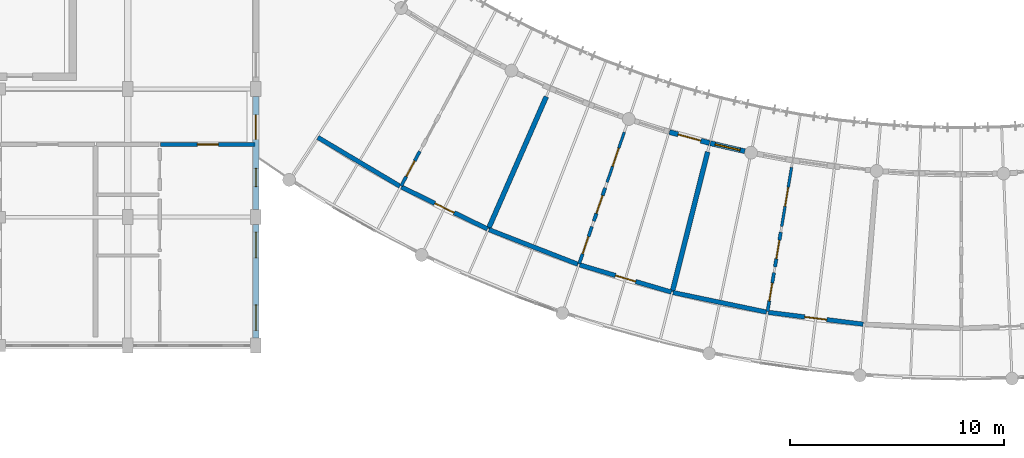
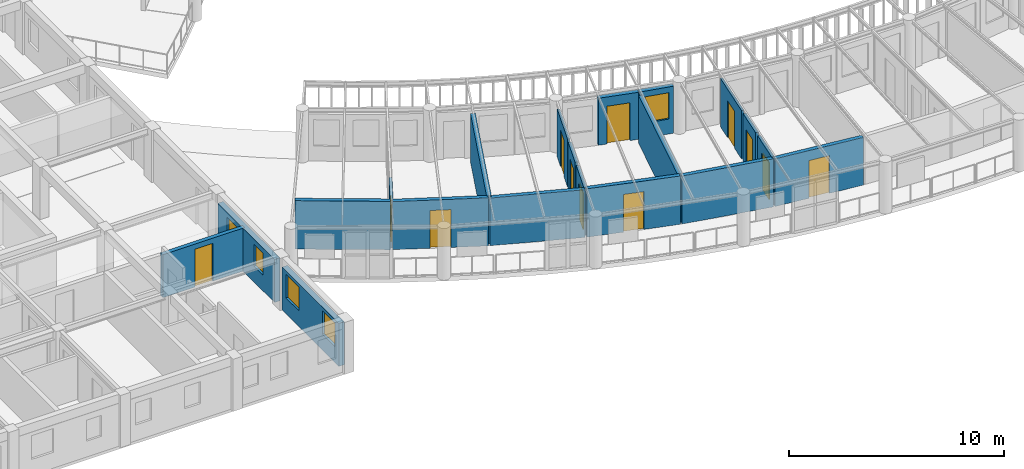
# One storey, part 57 of 101: 20 walls, 13 doors, 4 windows, 17 openings.
"""IFC4 building model written with IfcOpenShell, lengths in metres."""

import ifcopenshell
import ifcopenshell.guid

model = None  # the IFC model being written
_history = None  # IfcOwnerHistory: only IFC2X3 demands one
_inside = {}  # id of a spatial element -> (the spatial element, [elements in it])
_under = {}  # id of a project, library or spatial element -> (it, [spatial elements below it])
_declared = {}  # id of a project -> (the project, [libraries it declares])
_typed = {}  # id of a type object -> (the type object, [elements of that type])
_made_of = {}  # id of a material, layer set ... -> (it, [elements and type objects made of it])


def new_model(schema):
    """Start an empty IFC model of exactly this schema.

    Asked for "IFC4X3", IfcOpenShell would pick the latest addendum, in which some entities
    have other attributes; the version numbers below select the first issue.
    IFC2X3 requires an IfcOwnerHistory on every rooted entity: one is made here for all.
    """
    global model, _history
    if schema == "IFC4X3":
        model = ifcopenshell.file(schema_version=(4, 3, 0, 0))
    else:
        model = ifcopenshell.file(schema=schema)
    _inside.clear()
    _under.clear()
    _declared.clear()
    _typed.clear()
    _made_of.clear()
    _history = None
    if model.schema == "IFC2X3":
        org = make("IfcOrganization", Name="unknown")
        user = make(
            "IfcPersonAndOrganization",
            ThePerson=make("IfcPerson", FamilyName="unknown"),
            TheOrganization=org,
        )
        app = make(
            "IfcApplication",
            ApplicationDeveloper=org,
            Version="unknown",
            ApplicationFullName="unknown",
            ApplicationIdentifier="unknown",
        )
        _history = make(
            "IfcOwnerHistory",
            OwningUser=user,
            OwningApplication=app,
            ChangeAction="ADDED",
            CreationDate=0,
        )
    return model


def make(cls, **values):
    """One entity of the class cls with the attributes given. An attribute that is None is left unset."""
    return model.create_entity(
        cls, **{name: value for name, value in values.items() if value is not None}
    )


def rooted(cls, **values):
    """An entity with a GlobalId (a new one), such as an element, a storey or a relation."""
    return make(cls, GlobalId=ifcopenshell.guid.new(), OwnerHistory=_history, **values)


def si_unit(unit_type, name, prefix=None):
    """IfcSIUnit, for example si_unit("LENGTHUNIT", "METRE", prefix="MILLI")."""
    return make("IfcSIUnit", UnitType=unit_type, Prefix=prefix, Name=name)


def assignment(units):
    """IfcUnitAssignment: the units of a project."""
    return None if units is None else make("IfcUnitAssignment", Units=units)


def point(xyz):
    """IfcCartesianPoint."""
    return None if xyz is None else make("IfcCartesianPoint", Coordinates=xyz)


def direction(xyz):
    """IfcDirection."""
    return None if xyz is None else make("IfcDirection", DirectionRatios=xyz)


def frame(location, z_axis=None, x_axis=None):
    """IfcAxis2Placement3D, a coordinate frame: its origin and axes. An axis left out is left unset."""
    return make(
        "IfcAxis2Placement3D",
        Location=point(location),
        Axis=direction(z_axis),
        RefDirection=direction(x_axis),
    )


def frame_2d(location, x_axis=None):
    """IfcAxis2Placement2D, a coordinate frame in the plane: its origin and x axis."""
    return make(
        "IfcAxis2Placement2D", Location=point(location), RefDirection=direction(x_axis)
    )


def origin():
    """The frame at (0, 0, 0) with its axes left unset."""
    return frame((0.0, 0.0, 0.0))


def place(relative_to, where):
    """IfcLocalPlacement: puts the frame where relative to a parent placement (None: the world)."""
    return make(
        "IfcLocalPlacement", PlacementRelTo=relative_to, RelativePlacement=where
    )


def context(
    kind, dimensions, precision=None, world=None, true_north=None, identifier=None
):
    """IfcGeometricRepresentationContext, for example the 3D "Model" context."""
    return make(
        "IfcGeometricRepresentationContext",
        ContextIdentifier=identifier,
        ContextType=kind,
        CoordinateSpaceDimension=dimensions,
        Precision=precision,
        WorldCoordinateSystem=world,
        TrueNorth=true_north,
    )


def subcontext(parent, identifier, kind, view, scale=None):
    """IfcGeometricRepresentationSubContext, for example "Body" below "Model"."""
    return make(
        "IfcGeometricRepresentationSubContext",
        ContextIdentifier=identifier,
        ContextType=kind,
        ParentContext=parent,
        TargetScale=scale,
        TargetView=view,
    )


def project(units=None, contexts=None):
    """IfcProject with its units and contexts."""
    return rooted(
        "IfcProject",
        Name="project",
        RepresentationContexts=contexts,
        UnitsInContext=assignment(units),
    )


def spatial(cls, under=None, at=None, **own):
    """A site, building, storey or space (cls), placed at a placement, below another one or the project."""
    s = rooted(cls, ObjectPlacement=at, **own)
    if under is not None:
        _under.setdefault(under.id(), (under, []))[1].append(s)
    return s


def profile(cls, at=None, kind="AREA", **sizes):
    """A parametric profile (cls). Its sizes go by their IFC names, for example OverallWidth=200.0."""
    return make(cls, ProfileType=kind, Position=at, **sizes)


def rectangle(**sizes):
    """IfcRectangleProfileDef."""
    return profile("IfcRectangleProfileDef", **sizes)


def extrude(swept, where, along, depth):
    """IfcExtrudedAreaSolid: the profile swept, set in the frame where, extruded along a direction by depth."""
    return make(
        "IfcExtrudedAreaSolid",
        SweptArea=swept,
        Position=where,
        ExtrudedDirection=direction(along),
        Depth=depth,
    )


def shape(context_of_items, identifier, shape_type, items):
    """IfcShapeRepresentation: the items that make up one representation, for example the "Body"."""
    return make(
        "IfcShapeRepresentation",
        ContextOfItems=context_of_items,
        RepresentationIdentifier=identifier,
        RepresentationType=shape_type,
        Items=items,
    )


def material(Name=None, Category=None):
    """IfcMaterial."""
    return make("IfcMaterial", Name=Name, Category=Category)


def layer(
    of_material, thickness, ventilated=None, Name=None, Category=None, Priority=None
):
    """IfcMaterialLayer: one layer of a wall or slab, of a material (None: an air gap)."""
    return make(
        "IfcMaterialLayer",
        Material=of_material,
        LayerThickness=thickness,
        IsVentilated=ventilated,
        Name=Name,
        Category=Category,
        Priority=Priority,
    )


def layer_set(layers, Name=None):
    """IfcMaterialLayerSet."""
    return make("IfcMaterialLayerSet", MaterialLayers=layers, LayerSetName=Name)


def made_of(thing, what):
    """Note that an element or type object is made of a material, layer set ...; save() writes the relation."""
    if what is not None:
        _made_of.setdefault(what.id(), (what, []))[1].append(thing)
    return thing


def type_object(cls, material=None, **own):
    """A type object (cls), such as IfcWallType, which elements share."""
    return made_of(rooted(cls, **own), material)


def element(
    cls,
    number,
    at=None,
    inside=None,
    cuts=None,
    type_object=None,
    material=None,
    context=None,
    identifier="Body",
    shape_type=None,
    held_by="IfcProductDefinitionShape",
    body=None,
    shapes=None,
    **own,
):
    """One element of the class cls, such as IfcWall. Its Tag is "e" and its number.

    at: its placement. inside: the storey or other place that contains it. cuts: it is an
    opening in that element (IfcRelVoidsElement). A single representation is given by context,
    identifier, shape_type and body (its items); several are given by shapes. held_by: the class
    of the entity that holds the representations. save() writes the other relations.
    """
    e = rooted(cls, Tag="e%d" % number, ObjectPlacement=at, **own)
    if body is not None:
        shapes = [shape(context, identifier, shape_type, body)]
    if shapes is not None:
        e.Representation = make(held_by, Representations=shapes)
    if inside is not None:
        _inside.setdefault(inside.id(), (inside, []))[1].append(e)
    if cuts is not None:
        rooted(
            "IfcRelVoidsElement", RelatingBuildingElement=cuts, RelatedOpeningElement=e
        )
    if type_object is not None:
        _typed.setdefault(type_object.id(), (type_object, []))[1].append(e)
    return made_of(e, material)


def fill(opening, filler):
    """IfcRelFillsElement: the door or window that sits in an opening."""
    return rooted(
        "IfcRelFillsElement",
        RelatingOpeningElement=opening,
        RelatedBuildingElement=filler,
    )


def aggregate(whole, parts):
    """IfcRelAggregates: a whole, such as a stair, and the parts it consists of."""
    return rooted("IfcRelAggregates", RelatingObject=whole, RelatedObjects=parts)


def save(model, path):
    """Write the relations noted so far, then the file.

    IfcRelAggregates (storeys below a building ...), IfcRelContainedInSpatialStructure (elements
    in a storey), IfcRelDefinesByType, IfcRelAssociatesMaterial and IfcRelDeclares: one each for
    every whole, place, type object, material and project.
    """
    for whole, parts in _under.values():
        aggregate(whole, parts)
    for where, things in _inside.values():
        rooted(
            "IfcRelContainedInSpatialStructure",
            RelatedElements=things,
            RelatingStructure=where,
        )
    for kind, things in _typed.values():
        rooted("IfcRelDefinesByType", RelatedObjects=things, RelatingType=kind)
    for what, things in _made_of.values():
        rooted("IfcRelAssociatesMaterial", RelatedObjects=things, RelatingMaterial=what)
    for by, libraries in _declared.values():
        rooted("IfcRelDeclares", RelatingContext=by, RelatedDefinitions=libraries)
    model.write(path)


model = new_model("IFC4")

# Units and contexts
model_context = context("Model", 3, precision=1e-05, world=origin(), true_north=direction((0.0, 1.0)))
body_context = subcontext(model_context, "Body", "Model", "MODEL_VIEW")
ifc_project = project(units=[si_unit("LENGTHUNIT", "METRE"), si_unit("AREAUNIT", "SQUARE_METRE"), si_unit("VOLUMEUNIT", "CUBIC_METRE"), si_unit("PLANEANGLEUNIT", "RADIAN"), si_unit("MASSUNIT", "GRAM", prefix="KILO"), si_unit("POWERUNIT", "WATT"), si_unit("THERMODYNAMICTEMPERATUREUNIT", "KELVIN")], contexts=[model_context])

# Site, building, storey
site_placement = place(None, origin())
site = spatial("IfcSite", under=ifc_project, at=site_placement, CompositionType="ELEMENT")
building_placement = place(site_placement, origin())
building = spatial("IfcBuilding", under=site, at=building_placement, Name="Ruvembo Vaulted Housing Court", CompositionType="ELEMENT")
storey_placement = place(building_placement, frame((0.0, 0.0, 17.300048828125)))
storey = spatial("IfcBuildingStorey", under=building, at=storey_placement, Name="L05", CompositionType="ELEMENT", Elevation=17.300048828125)

# Wall, opening, door
ifc_material_1 = material(Name="Concrete Blockwork 210", Category="masonry")
ifc_layer_1 = layer(ifc_material_1, 0.2099609375, Name="Concrete Blockwork 210")
ifc_layer_set_1 = layer_set([ifc_layer_1], Name="Concrete Blockwork 210")
wall_type_1 = type_object("IfcWallType", Name="WL-CORR-210", PredefinedType="SOLIDWALL", material=ifc_layer_set_1)
wall_1_placement = place(storey_placement, frame((31.5400390625, 15.39990234375, 0.0), z_axis=(0.0, 0.0, 1.0), x_axis=(1.0, 0.0, 0.0)))
wall_1 = element("IfcWall", 1, at=wall_1_placement, inside=storey, type_object=wall_type_1, Name="L05 Flat A-L05-S4 Entrance WL-INT-L05-01407", PredefinedType="SOLIDWALL", context=body_context, shape_type="SweptSolid", body=[
    extrude(rectangle(XDim=4.419921875, YDim=0.2099609375, at=frame_2d((2.2099609375, 0.0))), origin(), (0.0, 0.0, 1.0), 2.447021484375),
])
opening_1_placement = place(wall_1_placement, frame((1.719970703125, 0.0, 0.0)))
opening_1 = element("IfcOpeningElement", 2, at=opening_1_placement, cuts=wall_1, Name="Opening FD2", PredefinedType="OPENING", context=body_context, shape_type="SweptSolid", body=[
    extrude(rectangle(XDim=0.97998046875, YDim=2.14990234375, at=frame_2d((0.489990234375, 1.074951171875))), frame((0.0, 0.114990234375, 0.0), z_axis=(0.0, -1.0, 0.0), x_axis=(1.0, 0.0, 0.0)), (0.0, 0.0, 1.0), 0.22998046875),
])
ifc_material_2 = material(Name="FSC Hardwood and Engineered Timber", Category="wood")
door_type_1 = type_object("IfcDoorType", Name="DR-FLAT-0980x2150", OperationType="NOTDEFINED", PredefinedType="DOOR", material=ifc_material_2)
door_1_placement = place(opening_1_placement, origin())
door_1 = element("IfcDoor", 3, at=door_1_placement, inside=storey, type_object=door_type_1, Name="L05 Flat A-L05-S4 Entrance Door DR-INT-L05-00793", OperationType="SINGLE_SWING_LEFT", OverallHeight=2.14990234375, OverallWidth=0.97998046875, PredefinedType="DOOR", context=body_context, shape_type="SweptSolid", body=[
    extrude(rectangle(XDim=0.97998046875, YDim=2.14990234375, at=frame_2d((0.489990234375, 1.074951171875))), frame((0.0, 0.02490234375, 0.0), z_axis=(0.0, -1.0, 0.0), x_axis=(1.0, 0.0, 0.0)), (0.0, 0.0, 1.0), 0.050048828125),
])
fill(opening_1, door_1)

# Wall
wall_2_placement = place(storey_placement, frame((38.89697265625, 15.732666015625, 0.0), z_axis=(0.0, 0.0, 1.0), x_axis=(0.859614290038, -0.510943511909, 0.0)))
element("IfcWall", 4, at=wall_2_placement, inside=storey, type_object=wall_type_1, Name="L05 Suite SC2-L05-U1 Gallery Wall WL-INT-L05-01607", PredefinedType="SOLIDWALL", context=body_context, shape_type="SweptSolid", body=[
    extrude(rectangle(XDim=4.472900390625, YDim=0.2099609375, at=frame_2d((2.236328125, 0.0))), origin(), (0.0, 0.0, 1.0), 2.75390625),
])

# Wall, opening, door
wall_3_placement = place(storey_placement, frame((42.8125, 13.4091796875, 0.0), z_axis=(0.0, 0.0, 1.0), x_axis=(0.898794149603, -0.438370934985, 0.0)))
wall_3 = element("IfcWall", 5, at=wall_3_placement, inside=storey, type_object=wall_type_1, Name="L05 Suite SC2-L05-U1 Entrance WL-INT-L05-01608", PredefinedType="SOLIDWALL", context=body_context, shape_type="SweptSolid", body=[
    extrude(rectangle(XDim=4.47265625, YDim=0.2099609375, at=frame_2d((2.236328125, 0.0))), origin(), (0.0, 0.0, 1.0), 2.73388671875),
])
opening_2_placement = place(wall_3_placement, frame((1.736572265625, 0.0, 0.0)))
opening_2 = element("IfcOpeningElement", 6, at=opening_2_placement, cuts=wall_3, Name="Opening FD1", PredefinedType="OPENING", context=body_context, shape_type="SweptSolid", body=[
    extrude(rectangle(XDim=1.0, YDim=2.14990234375, at=frame_2d((0.5, 1.074951171875))), frame((0.0, 0.114990234375, 0.0), z_axis=(0.0, -1.0, 0.0), x_axis=(1.0, 0.0, 0.0)), (0.0, 0.0, 1.0), 0.22998046875),
])
door_type_2 = type_object("IfcDoorType", Name="DR-FLAT-1000x2150", OperationType="NOTDEFINED", PredefinedType="DOOR", material=ifc_material_2)
door_2_placement = place(opening_2_placement, origin())
door_2 = element("IfcDoor", 7, at=door_2_placement, inside=storey, type_object=door_type_2, Name="L05 Suite SC2-L05-U1 Entrance Door DR-INT-L05-00903", OperationType="SINGLE_SWING_LEFT", OverallHeight=2.14990234375, OverallWidth=1.0, PredefinedType="DOOR", context=body_context, shape_type="SweptSolid", body=[
    extrude(rectangle(XDim=1.0, YDim=2.14990234375, at=frame_2d((0.5, 1.074951171875))), frame((0.0, 0.02490234375, 0.0), z_axis=(0.0, -1.0, 0.0), x_axis=(1.0, 0.0, 0.0)), (0.0, 0.0, 1.0), 0.050048828125),
])
fill(opening_2, door_2)

# Wall
wall_4_placement = place(storey_placement, frame((46.906005859375, 11.41650390625, 0.0), z_axis=(0.0, 0.0, 1.0), x_axis=(0.931847867525, -0.362849213571, 0.0)))
element("IfcWall", 8, at=wall_4_placement, inside=storey, type_object=wall_type_1, Name="L05 Suite SC2-L05-U2 Gallery Wall WL-INT-L05-01613", PredefinedType="SOLIDWALL", context=body_context, shape_type="SweptSolid", body=[
    extrude(rectangle(XDim=4.47314453125, YDim=0.2099609375, at=frame_2d((2.236572265625, 0.0))), origin(), (0.0, 0.0, 1.0), 2.7138671875),
])

# Wall, opening, door
wall_5_placement = place(storey_placement, frame((51.14990234375, 9.767578125, 0.0), z_axis=(0.0, 0.0, 1.0), x_axis=(0.958602413557, -0.28474798107, 0.0)))
wall_5 = element("IfcWall", 9, at=wall_5_placement, inside=storey, type_object=wall_type_1, Name="L05 Suite SC2-L05-U2 Entrance WL-INT-L05-01614", PredefinedType="SOLIDWALL", context=body_context, shape_type="SweptSolid", body=[
    extrude(rectangle(XDim=4.472900390625, YDim=0.2099609375, at=frame_2d((2.236328125, 0.0))), origin(), (0.0, 0.0, 1.0), 2.75390625),
])
opening_3_placement = place(wall_5_placement, frame((1.74658203125, 0.0, 0.0)))
opening_3 = element("IfcOpeningElement", 10, at=opening_3_placement, cuts=wall_5, Name="Opening FD2", PredefinedType="OPENING", context=body_context, shape_type="SweptSolid", body=[
    extrude(rectangle(XDim=0.97998046875, YDim=2.14990234375, at=frame_2d((0.489990234375, 1.074951171875))), frame((0.0, 0.114990234375, 0.0), z_axis=(0.0, -1.0, 0.0), x_axis=(1.0, 0.0, 0.0)), (0.0, 0.0, 1.0), 0.22998046875),
])
door_3_placement = place(opening_3_placement, origin())
door_3 = element("IfcDoor", 11, at=door_3_placement, inside=storey, type_object=door_type_1, Name="L05 Suite SC2-L05-U2 Entrance Door DR-INT-L05-00907", OperationType="SINGLE_SWING_LEFT", OverallHeight=2.14990234375, OverallWidth=0.97998046875, PredefinedType="DOOR", context=body_context, shape_type="SweptSolid", body=[
    extrude(rectangle(XDim=0.97998046875, YDim=2.14990234375, at=frame_2d((0.489990234375, 1.074951171875))), frame((0.0, 0.02490234375, 0.0), z_axis=(0.0, -1.0, 0.0), x_axis=(1.0, 0.0, 0.0)), (0.0, 0.0, 1.0), 0.050048828125),
])
fill(opening_3, door_3)

# Wall
wall_6_placement = place(storey_placement, frame((55.51513671875, 8.47412109375, 0.0), z_axis=(0.0, 0.0, 1.0), x_axis=(0.978806148413, -0.204788973894, 0.0)))
element("IfcWall", 12, at=wall_6_placement, inside=storey, type_object=wall_type_1, Name="L05 Suite SC2-L05-U3 Gallery Wall WL-INT-L05-01619", PredefinedType="SOLIDWALL", context=body_context, shape_type="SweptSolid", body=[
    extrude(rectangle(XDim=4.472900390625, YDim=0.2099609375, at=frame_2d((2.236328125, 0.0))), origin(), (0.0, 0.0, 1.0), 2.73388671875),
])

# Wall, opening, door
wall_7_placement = place(storey_placement, frame((59.97216796875, 7.544921875, 0.0), z_axis=(0.0, 0.0, 1.0), x_axis=(0.992349920368, -0.123457019023, 0.0)))
wall_7 = element("IfcWall", 13, at=wall_7_placement, inside=storey, type_object=wall_type_1, Name="L05 Suite SC2-L05-U3 Entrance WL-INT-L05-01620", PredefinedType="SOLIDWALL", context=body_context, shape_type="SweptSolid", body=[
    extrude(rectangle(XDim=4.47314453125, YDim=0.2099609375, at=frame_2d((2.236572265625, 0.0))), origin(), (0.0, 0.0, 1.0), 2.7138671875),
])
opening_4_placement = place(wall_7_placement, frame((1.711669921875, 0.0, 0.0)))
opening_4 = element("IfcOpeningElement", 14, at=opening_4_placement, cuts=wall_7, Name="Opening FD3", PredefinedType="OPENING", context=body_context, shape_type="SweptSolid", body=[
    extrude(rectangle(XDim=1.050048828125, YDim=2.14990234375, at=frame_2d((0.52490234375, 1.074951171875))), frame((0.0, 0.114990234375, 0.0), z_axis=(0.0, -1.0, 0.0), x_axis=(1.0, 0.0, 0.0)), (0.0, 0.0, 1.0), 0.22998046875),
])
door_type_3 = type_object("IfcDoorType", Name="DR-FLAT-1050x2150", OperationType="NOTDEFINED", PredefinedType="DOOR", material=ifc_material_2)
door_4_placement = place(opening_4_placement, origin())
door_4 = element("IfcDoor", 15, at=door_4_placement, inside=storey, type_object=door_type_3, Name="L05 Suite SC2-L05-U3 Entrance Door DR-INT-L05-00911", OperationType="SINGLE_SWING_LEFT", OverallHeight=2.14990234375, OverallWidth=1.050048828125, PredefinedType="DOOR", context=body_context, shape_type="SweptSolid", body=[
    extrude(rectangle(XDim=1.050048828125, YDim=2.14990234375, at=frame_2d((0.52490234375, 1.074951171875))), frame((0.0, 0.02490234375, 0.0), z_axis=(0.0, -1.0, 0.0), x_axis=(1.0, 0.0, 0.0)), (0.0, 0.0, 1.0), 0.050048828125),
])
fill(opening_4, door_4)

# Walls
ifc_material_3 = material(Name="Acoustic Masonry Demising 230", Category="masonry")
ifc_layer_2 = layer(ifc_material_3, 0.22998046875, Name="Acoustic Masonry Demising 230")
ifc_layer_set_2 = layer_set([ifc_layer_2], Name="Acoustic Masonry Demising 230")
wall_type_2 = type_object("IfcWallType", Name="WL-DEM-230", PredefinedType="SOLIDWALL", material=ifc_layer_set_2)
wall_8_placement = place(storey_placement, frame((49.585205078125, 17.638427734375, 0.0), z_axis=(0.0, 0.0, 1.0), x_axis=(-0.400932910895, -0.916107417807, 0.0)))
element("IfcWall", 16, at=wall_8_placement, inside=storey, type_object=wall_type_2, Name="L05 Suite SC2-L05-U1 Demising WL-INT-L05-01612", PredefinedType="SOLIDWALL", context=body_context, shape_type="SweptSolid", body=[
    extrude(rectangle(XDim=6.736083984375, YDim=0.22998046875, at=frame_2d((3.3681640625, 0.0))), origin(), (0.0, 0.0, 1.0), 2.75390625),
])
wall_9_placement = place(storey_placement, frame((57.135986328125, 15.0517578125, 0.0), z_axis=(0.0, 0.0, 1.0), x_axis=(-0.244982481903, -0.969527505314, 0.0)))
element("IfcWall", 17, at=wall_9_placement, inside=storey, type_object=wall_type_2, Name="L05 Suite SC2-L05-U2 Demising WL-INT-L05-01618", PredefinedType="SOLIDWALL", context=body_context, shape_type="SweptSolid", body=[
    extrude(rectangle(XDim=6.73583984375, YDim=0.22998046875, at=frame_2d((3.367919921875, 0.0))), origin(), (0.0, 0.0, 1.0), 2.7138671875),
])

# Wall, opening, door
ifc_material_4 = material(Name="Rendered Masonry 235", Category="masonry")
ifc_layer_3 = layer(ifc_material_4, 0.235107421875, Name="Rendered Masonry 235")
ifc_layer_set_3 = layer_set([ifc_layer_3], Name="Rendered Masonry 235")
wall_type_3 = type_object("IfcWallType", Name="WL-EXT-235", PredefinedType="STANDARD", material=ifc_layer_set_3)
wall_10_placement = place(storey_placement, frame((55.35009765625, 15.982177734375, 0.0), z_axis=(0.0, 0.0, 1.0), x_axis=(0.964271323293, -0.264916619098, 0.0)))
wall_10 = element("IfcWall", 18, at=wall_10_placement, inside=storey, type_object=wall_type_3, Name="Scoop SC2 L05 Concave Balcony Wall 7", PredefinedType="STANDARD", context=body_context, shape_type="SweptSolid", body=[
    extrude(rectangle(XDim=1.93994140625, YDim=0.235107421875, at=frame_2d((0.969970703125, 0.0))), origin(), (0.0, 0.0, 1.0), 2.676025390625),
])
opening_5_placement = place(wall_10_placement, frame((0.419921875, 0.0, 0.0)))
opening_5 = element("IfcOpeningElement", 19, at=opening_5_placement, cuts=wall_10, Name="Opening BD3", PredefinedType="OPENING", context=body_context, shape_type="SweptSolid", body=[
    extrude(rectangle(XDim=1.10009765625, YDim=2.14990234375, at=frame_2d((0.550048828125, 1.074951171875))), frame((0.0, 0.12744140625, 0.0), z_axis=(0.0, -1.0, 0.0), x_axis=(1.0, 0.0, 0.0)), (0.0, 0.0, 1.0), 0.255126953125),
])
ifc_material_5 = material(Name="Thermally Broken Glazed Aluminium", Category="aluminium")
door_type_4 = type_object("IfcDoorType", Name="DR-BAL-1100x2150", OperationType="NOTDEFINED", PredefinedType="DOOR", material=ifc_material_5)
door_5_placement = place(opening_5_placement, origin())
door_5 = element("IfcDoor", 20, at=door_5_placement, inside=storey, type_object=door_type_4, Name="Scoop SC2 L05 Balcony Door 7", OperationType="SINGLE_SWING_LEFT", OverallHeight=2.14990234375, OverallWidth=1.10009765625, PredefinedType="DOOR", context=body_context, shape_type="SweptSolid", body=[
    extrude(rectangle(XDim=1.10009765625, YDim=2.14990234375, at=frame_2d((0.550048828125, 1.074951171875))), frame((0.0, 0.02490234375, 0.0), z_axis=(0.0, -1.0, 0.0), x_axis=(1.0, 0.0, 0.0)), (0.0, 0.0, 1.0), 0.050048828125),
])
fill(opening_5, door_5)

# Wall, opening, window
wall_11_placement = place(storey_placement, frame((57.259521484375, 15.45849609375, 0.0), z_axis=(0.0, 0.0, 1.0), x_axis=(0.974354001174, -0.225020622158, 0.0)))
wall_11 = element("IfcWall", 21, at=wall_11_placement, inside=storey, type_object=wall_type_3, Name="Scoop SC2 L05 Concave Balcony Wall 8", PredefinedType="STANDARD", context=body_context, shape_type="SweptSolid", body=[
    extrude(rectangle(XDim=1.659912109375, YDim=0.235107421875, at=frame_2d((0.830078125, 0.0))), origin(), (0.0, 0.0, 1.0), 2.676025390625),
])
opening_6_placement = place(wall_11_placement, frame((0.22998046875, 0.0, 0.85009765625)))
opening_6 = element("IfcOpeningElement", 22, at=opening_6_placement, cuts=wall_11, Name="Opening W14", PredefinedType="OPENING", context=body_context, shape_type="SweptSolid", body=[
    extrude(rectangle(XDim=1.199951171875, YDim=1.5, at=frame_2d((0.60009765625, 0.75))), frame((0.0, 0.12744140625, 0.0), z_axis=(0.0, -1.0, 0.0), x_axis=(1.0, 0.0, 0.0)), (0.0, 0.0, 1.0), 0.255126953125),
])
ifc_material_6 = material(Name="Double Solar-Control Glazing in Aluminium Frame", Category="aluminium")
window_type_1 = type_object("IfcWindowType", Name="WIN-1200x1500", PartitioningType="SINGLE_PANEL", PredefinedType="WINDOW", material=ifc_material_6)
window_1_placement = place(opening_6_placement, origin())
window_1 = element("IfcWindow", 23, at=window_1_placement, inside=storey, type_object=window_type_1, Name="Scoop SC2 L05 Concave Window 8", OverallHeight=1.5, OverallWidth=1.199951171875, PartitioningType="SINGLE_PANEL", PredefinedType="WINDOW", context=body_context, shape_type="SweptSolid", body=[
    extrude(rectangle(XDim=1.199951171875, YDim=1.5, at=frame_2d((0.60009765625, 0.75))), frame((0.0, 0.030029296875, 0.0), z_axis=(0.0, -1.0, 0.0), x_axis=(1.0, 0.0, 0.0)), (0.0, 0.0, 1.0), 0.06005859375),
])
fill(opening_6, window_1)

# Wall, openings, windows
ifc_material_7 = material(Name="Rendered Masonry 285", Category="masonry")
ifc_layer_4 = layer(ifc_material_7, 0.284912109375, Name="Rendered Masonry 285")
ifc_layer_set_4 = layer_set([ifc_layer_4], Name="Rendered Masonry 285")
wall_type_4 = type_object("IfcWallType", Name="WL-EXT-285", PredefinedType="STANDARD", material=ifc_layer_set_4)
wall_12_placement = place(storey_placement, frame((36.0, 6.35009765625, 0.0), z_axis=(0.0, 0.0, 1.0), x_axis=(0.0, 1.0, 0.0)))
wall_12 = element("IfcWall", 24, at=wall_12_placement, inside=storey, type_object=wall_type_4, Name="Block A L05 Exterior Wall EAST #1", PredefinedType="STANDARD", context=body_context, shape_type="SweptSolid", body=[
    extrude(rectangle(XDim=5.2998046875, YDim=0.284912109375, at=frame_2d((2.64990234375, 0.0))), origin(), (0.0, 0.0, 1.0), 2.447021484375),
])
opening_7_placement = place(wall_12_placement, frame((0.35009765625, 0.0, 0.89990234375)))
opening_7 = element("IfcOpeningElement", 25, at=opening_7_placement, cuts=wall_12, Name="Opening W12", PredefinedType="OPENING", context=body_context, shape_type="SweptSolid", body=[
    extrude(rectangle(XDim=1.199951171875, YDim=1.35009765625, at=frame_2d((0.60009765625, 0.675048828125))), frame((0.0, 0.15234375, 0.0), z_axis=(0.0, -1.0, 0.0), x_axis=(1.0, 0.0, 0.0)), (0.0, 0.0, 1.0), 0.304931640625),
])
opening_8_placement = place(wall_12_placement, frame((3.75, 0.0, 0.89990234375)))
opening_8 = element("IfcOpeningElement", 26, at=opening_8_placement, cuts=wall_12, Name="Opening W12", PredefinedType="OPENING", context=body_context, shape_type="SweptSolid", body=[
    extrude(rectangle(XDim=1.199951171875, YDim=1.35009765625, at=frame_2d((0.60009765625, 0.675048828125))), frame((0.0, 0.15234375, 0.0), z_axis=(0.0, -1.0, 0.0), x_axis=(1.0, 0.0, 0.0)), (0.0, 0.0, 1.0), 0.304931640625),
])
window_type_2 = type_object("IfcWindowType", Name="WIN-1200x1350", PartitioningType="SINGLE_PANEL", PredefinedType="WINDOW", material=ifc_material_6)
window_2_placement = place(opening_7_placement, origin())
window_2 = element("IfcWindow", 27, at=window_2_placement, inside=storey, type_object=window_type_2, Name="Block A L05 Window #221", OverallHeight=1.35009765625, OverallWidth=1.199951171875, PartitioningType="SINGLE_PANEL", PredefinedType="WINDOW", context=body_context, shape_type="SweptSolid", body=[
    extrude(rectangle(XDim=1.199951171875, YDim=1.35009765625, at=frame_2d((0.60009765625, 0.675048828125))), frame((0.0, 0.030029296875, 0.0), z_axis=(0.0, -1.0, 0.0), x_axis=(1.0, 0.0, 0.0)), (0.0, 0.0, 1.0), 0.06005859375),
])
fill(opening_7, window_2)
window_3_placement = place(opening_8_placement, origin())
window_3 = element("IfcWindow", 28, at=window_3_placement, inside=storey, type_object=window_type_2, Name="Block A L05 Window #222", OverallHeight=1.35009765625, OverallWidth=1.199951171875, PartitioningType="SINGLE_PANEL", PredefinedType="WINDOW", context=body_context, shape_type="SweptSolid", body=[
    extrude(rectangle(XDim=1.199951171875, YDim=1.35009765625, at=frame_2d((0.60009765625, 0.675048828125))), frame((0.0, 0.030029296875, 0.0), z_axis=(0.0, -1.0, 0.0), x_axis=(1.0, 0.0, 0.0)), (0.0, 0.0, 1.0), 0.06005859375),
])
fill(opening_8, window_3)

# Wall, openings, door, window
wall_13_placement = place(storey_placement, frame((36.0, 12.35009765625, 0.0), z_axis=(0.0, 0.0, 1.0), x_axis=(0.0, 1.0, 0.0)))
wall_13 = element("IfcWall", 29, at=wall_13_placement, inside=storey, type_object=wall_type_4, Name="Block A L05 Exterior Wall EAST #2", PredefinedType="STANDARD", context=body_context, shape_type="SweptSolid", body=[
    extrude(rectangle(XDim=5.2998046875, YDim=0.284912109375, at=frame_2d((2.64990234375, 0.0))), origin(), (0.0, 0.0, 1.0), 2.447021484375),
])
opening_9_placement = place(wall_13_placement, frame((3.2900390625, 0.0, 0.0)))
opening_9 = element("IfcOpeningElement", 30, at=opening_9_placement, cuts=wall_13, Name="Opening GD1", PredefinedType="OPENING", context=body_context, shape_type="SweptSolid", body=[
    extrude(rectangle(XDim=1.14990234375, YDim=2.14990234375, at=frame_2d((0.574951171875, 1.074951171875))), frame((0.0, 0.15234375, 0.0), z_axis=(0.0, -1.0, 0.0), x_axis=(1.0, 0.0, 0.0)), (0.0, 0.0, 1.0), 0.304931640625),
])
opening_10_placement = place(wall_13_placement, frame((1.080078125, 0.0, 0.89990234375)))
opening_10 = element("IfcOpeningElement", 31, at=opening_10_placement, cuts=wall_13, Name="Opening W03", PredefinedType="OPENING", context=body_context, shape_type="SweptSolid", body=[
    extrude(rectangle(XDim=0.85009765625, YDim=1.25, at=frame_2d((0.425048828125, 0.625))), frame((0.0, 0.15234375, 0.0), z_axis=(0.0, -1.0, 0.0), x_axis=(1.0, 0.0, 0.0)), (0.0, 0.0, 1.0), 0.304931640625),
])
door_type_5 = type_object("IfcDoorType", Name="DR-GAL-1150x2150", OperationType="NOTDEFINED", PredefinedType="DOOR", material=ifc_material_5)
door_6_placement = place(opening_9_placement, frame((1.14990234375, 0.0, 0.0), z_axis=(0.0, 0.0, 1.0), x_axis=(-1.0, 0.0, 0.0)))
door_6 = element("IfcDoor", 32, at=door_6_placement, inside=storey, type_object=door_type_5, Name="Block A L05 Terrace or Gallery Door DR-TER-A-L05-019", OperationType="SINGLE_SWING_RIGHT", OverallHeight=2.14990234375, OverallWidth=1.14990234375, PredefinedType="DOOR", context=body_context, shape_type="SweptSolid", body=[
    extrude(rectangle(XDim=1.14990234375, YDim=2.14990234375, at=frame_2d((0.574951171875, 1.074951171875))), frame((0.0, 0.02490234375, 0.0), z_axis=(0.0, -1.0, 0.0), x_axis=(1.0, 0.0, 0.0)), (0.0, 0.0, 1.0), 0.050048828125),
])
fill(opening_9, door_6)
window_type_3 = type_object("IfcWindowType", Name="WIN-0850x1250", PartitioningType="SINGLE_PANEL", PredefinedType="WINDOW", material=ifc_material_6)
window_4_placement = place(opening_10_placement, origin())
window_4 = element("IfcWindow", 33, at=window_4_placement, inside=storey, type_object=window_type_3, Name="Block A L05 Window #223", OverallHeight=1.25, OverallWidth=0.85009765625, PartitioningType="SINGLE_PANEL", PredefinedType="WINDOW", context=body_context, shape_type="SweptSolid", body=[
    extrude(rectangle(XDim=0.85009765625, YDim=1.25, at=frame_2d((0.425048828125, 0.625))), frame((0.0, 0.030029296875, 0.0), z_axis=(0.0, -1.0, 0.0), x_axis=(1.0, 0.0, 0.0)), (0.0, 0.0, 1.0), 0.06005859375),
])
fill(opening_10, window_4)

# Wall, opening, door
ifc_material_8 = material(Name="Plasterboard Stud Partition 125", Category="gypsum")
ifc_layer_5 = layer(ifc_material_8, 0.125, Name="Plasterboard Stud Partition 125")
ifc_layer_set_5 = layer_set([ifc_layer_5], Name="Plasterboard Stud Partition 125")
wall_type_5 = type_object("IfcWallType", Name="WL-PART-125", PredefinedType="PARTITIONING", material=ifc_layer_set_5)
wall_14_placement = place(storey_placement, frame((53.23486328125, 15.977294921875, 0.0), z_axis=(0.0, 0.0, 1.0), x_axis=(-0.324072633759, -0.946032202437, 0.0)))
wall_14 = element("IfcWall", 34, at=wall_14_placement, inside=storey, type_object=wall_type_5, Name="L05 Suite SC2-L05-U2 Bedroom WL-INT-L05-01615", PredefinedType="PARTITIONING", context=body_context, shape_type="SweptSolid", body=[
    extrude(rectangle(XDim=2.47998046875, YDim=0.125, at=frame_2d((1.239990234375, 0.0))), origin(), (0.0, 0.0, 1.0), 2.73388671875),
])
opening_11_placement = place(wall_14_placement, frame((0.7900390625, 0.0, 0.0)))
opening_11 = element("IfcOpeningElement", 35, at=opening_11_placement, cuts=wall_14, Name="Opening ID1", PredefinedType="OPENING", context=body_context, shape_type="SweptSolid", body=[
    extrude(rectangle(XDim=0.89990234375, YDim=2.10009765625, at=frame_2d((0.449951171875, 1.050048828125))), frame((0.0, 0.072509765625, 0.0), z_axis=(0.0, -1.0, 0.0), x_axis=(1.0, 0.0, 0.0)), (0.0, 0.0, 1.0), 0.14501953125),
])
door_type_6 = type_object("IfcDoorType", Name="DR-ROOM-0900x2100", OperationType="NOTDEFINED", PredefinedType="DOOR", material=ifc_material_2)
door_7_placement = place(opening_11_placement, origin())
door_7 = element("IfcDoor", 36, at=door_7_placement, inside=storey, type_object=door_type_6, Name="L05 Suite SC2-L05-U2 Bedroom Door DR-INT-L05-00908", OperationType="SINGLE_SWING_RIGHT", OverallHeight=2.10009765625, OverallWidth=0.89990234375, PredefinedType="DOOR", context=body_context, shape_type="SweptSolid", body=[
    extrude(rectangle(XDim=0.89990234375, YDim=2.10009765625, at=frame_2d((0.449951171875, 1.050048828125))), frame((0.0, 0.02490234375, 0.0), z_axis=(0.0, -1.0, 0.0), x_axis=(1.0, 0.0, 0.0)), (0.0, 0.0, 1.0), 0.050048828125),
])
fill(opening_11, door_7)

wall_15_placement = place(storey_placement, frame((61.061279296875, 14.328369140625, 0.0), z_axis=(0.0, 0.0, 1.0), x_axis=(-0.164186889233, -0.986429250075, 0.0)))
wall_15 = element("IfcWall", 37, at=wall_15_placement, inside=storey, type_object=wall_type_5, Name="L05 Suite SC2-L05-U3 Bedroom WL-INT-L05-01621", PredefinedType="PARTITIONING", context=body_context, shape_type="SweptSolid", body=[
    extrude(rectangle(XDim=2.800048828125, YDim=0.125, at=frame_2d((1.39990234375, 0.0))), origin(), (0.0, 0.0, 1.0), 2.75390625),
])
opening_12_placement = place(wall_15_placement, frame((0.949951171875, 0.0, 0.0)))
opening_12 = element("IfcOpeningElement", 38, at=opening_12_placement, cuts=wall_15, Name="Opening ID1", PredefinedType="OPENING", context=body_context, shape_type="SweptSolid", body=[
    extrude(rectangle(XDim=0.89990234375, YDim=2.10009765625, at=frame_2d((0.449951171875, 1.050048828125))), frame((0.0, 0.072509765625, 0.0), z_axis=(0.0, -1.0, 0.0), x_axis=(1.0, 0.0, 0.0)), (0.0, 0.0, 1.0), 0.14501953125),
])
door_8_placement = place(opening_12_placement, origin())
door_8 = element("IfcDoor", 39, at=door_8_placement, inside=storey, type_object=door_type_6, Name="L05 Suite SC2-L05-U3 Bedroom Door DR-INT-L05-00912", OperationType="SINGLE_SWING_RIGHT", OverallHeight=2.10009765625, OverallWidth=0.89990234375, PredefinedType="DOOR", context=body_context, shape_type="SweptSolid", body=[
    extrude(rectangle(XDim=0.89990234375, YDim=2.10009765625, at=frame_2d((0.449951171875, 1.050048828125))), frame((0.0, 0.02490234375, 0.0), z_axis=(0.0, -1.0, 0.0), x_axis=(1.0, 0.0, 0.0)), (0.0, 0.0, 1.0), 0.050048828125),
])
fill(opening_12, door_8)

ifc_material_9 = material(Name="Moisture-Resistant Wet Partition 150", Category="gypsum")
ifc_layer_6 = layer(ifc_material_9, 0.14990234375, Name="Moisture-Resistant Wet Partition 150")
ifc_layer_set_6 = layer_set([ifc_layer_6], Name="Moisture-Resistant Wet Partition 150")
wall_type_6 = type_object("IfcWallType", Name="WL-PART-150", PredefinedType="PARTITIONING", material=ifc_layer_set_6)
wall_16_placement = place(storey_placement, frame((43.66943359375, 15.0810546875, 0.0), z_axis=(0.0, 0.0, 1.0), x_axis=(-0.475017414672, -0.879976395001, 0.0)))
wall_16 = element("IfcWall", 40, at=wall_16_placement, inside=storey, type_object=wall_type_6, Name="L05 Suite SC2-L05-U1 Bathroom WL-INT-L05-01611", PredefinedType="PARTITIONING", context=body_context, shape_type="SweptSolid", body=[
    extrude(rectangle(XDim=1.840087890625, YDim=0.14990234375, at=frame_2d((0.919921875, 0.0))), origin(), (0.0, 0.0, 1.0), 2.7138671875),
])
opening_13_placement = place(wall_16_placement, frame((0.510009765625, 0.0, 0.0)))
opening_13 = element("IfcOpeningElement", 41, at=opening_13_placement, cuts=wall_16, Name="Opening ID4", PredefinedType="OPENING", context=body_context, shape_type="SweptSolid", body=[
    extrude(rectangle(XDim=0.820068359375, YDim=2.080078125, at=frame_2d((0.41015625, 1.0400390625))), frame((0.0, 0.0849609375, 0.0), z_axis=(0.0, -1.0, 0.0), x_axis=(1.0, 0.0, 0.0)), (0.0, 0.0, 1.0), 0.169921875),
])
door_type_7 = type_object("IfcDoorType", Name="DR-WET-0820x2080", OperationType="NOTDEFINED", PredefinedType="DOOR", material=ifc_material_2)
door_9_placement = place(opening_13_placement, origin())
door_9 = element("IfcDoor", 42, at=door_9_placement, inside=storey, type_object=door_type_7, Name="L05 Suite SC2-L05-U1 Bathroom Door DR-INT-L05-00906", OperationType="SINGLE_SWING_RIGHT", OverallHeight=2.080078125, OverallWidth=0.820068359375, PredefinedType="DOOR", context=body_context, shape_type="SweptSolid", body=[
    extrude(rectangle(XDim=0.820068359375, YDim=2.080078125, at=frame_2d((0.41015625, 1.0400390625))), frame((0.0, 0.02490234375, 0.0), z_axis=(0.0, -1.0, 0.0), x_axis=(1.0, 0.0, 0.0)), (0.0, 0.0, 1.0), 0.050048828125),
])
fill(opening_13, door_9)

wall_17_placement = place(storey_placement, frame((51.720703125, 11.5576171875, 0.0), z_axis=(0.0, 0.0, 1.0), x_axis=(-0.323978335312, -0.946064500046, 0.0)))
wall_17 = element("IfcWall", 43, at=wall_17_placement, inside=storey, type_object=wall_type_6, Name="L05 Suite SC2-L05-U2 Bathroom WL-INT-L05-01617", PredefinedType="PARTITIONING", context=body_context, shape_type="SweptSolid", body=[
    extrude(rectangle(XDim=1.84033203125, YDim=0.14990234375, at=frame_2d((0.920166015625, 0.0))), origin(), (0.0, 0.0, 1.0), 2.73388671875),
])
opening_14_placement = place(wall_17_placement, frame((0.4951171875, 0.0, 0.0)))
opening_14 = element("IfcOpeningElement", 44, at=opening_14_placement, cuts=wall_17, Name="Opening ID2", PredefinedType="OPENING", context=body_context, shape_type="SweptSolid", body=[
    extrude(rectangle(XDim=0.85009765625, YDim=2.10009765625, at=frame_2d((0.425048828125, 1.050048828125))), frame((0.0, 0.0849609375, 0.0), z_axis=(0.0, -1.0, 0.0), x_axis=(1.0, 0.0, 0.0)), (0.0, 0.0, 1.0), 0.169921875),
])
door_type_8 = type_object("IfcDoorType", Name="DR-WET-0850x2100", OperationType="NOTDEFINED", PredefinedType="DOOR", material=ifc_material_2)
door_10_placement = place(opening_14_placement, origin())
door_10 = element("IfcDoor", 45, at=door_10_placement, inside=storey, type_object=door_type_8, Name="L05 Suite SC2-L05-U2 Bathroom Door DR-INT-L05-00910", OperationType="SINGLE_SWING_RIGHT", OverallHeight=2.10009765625, OverallWidth=0.85009765625, PredefinedType="DOOR", context=body_context, shape_type="SweptSolid", body=[
    extrude(rectangle(XDim=0.85009765625, YDim=2.10009765625, at=frame_2d((0.425048828125, 1.050048828125))), frame((0.0, 0.02490234375, 0.0), z_axis=(0.0, -1.0, 0.0), x_axis=(1.0, 0.0, 0.0)), (0.0, 0.0, 1.0), 0.050048828125),
])
fill(opening_14, door_10)

wall_18_placement = place(storey_placement, frame((60.2412109375, 9.404296875, 0.0), z_axis=(0.0, 0.0, 1.0), x_axis=(-0.16414076901, -0.986436925479, 0.0)))
wall_18 = element("IfcWall", 46, at=wall_18_placement, inside=storey, type_object=wall_type_6, Name="L05 Suite SC2-L05-U3 Bathroom WL-INT-L05-01623", PredefinedType="PARTITIONING", context=body_context, shape_type="SweptSolid", body=[
    extrude(rectangle(XDim=1.83984375, YDim=0.14990234375, at=frame_2d((0.919921875, 0.0))), origin(), (0.0, 0.0, 1.0), 2.75390625),
])
opening_15_placement = place(wall_18_placement, frame((0.494873046875, 0.0, 0.0)))
opening_15 = element("IfcOpeningElement", 47, at=opening_15_placement, cuts=wall_18, Name="Opening ID2", PredefinedType="OPENING", context=body_context, shape_type="SweptSolid", body=[
    extrude(rectangle(XDim=0.85009765625, YDim=2.10009765625, at=frame_2d((0.425048828125, 1.050048828125))), frame((0.0, 0.0849609375, 0.0), z_axis=(0.0, -1.0, 0.0), x_axis=(1.0, 0.0, 0.0)), (0.0, 0.0, 1.0), 0.169921875),
])
door_11_placement = place(opening_15_placement, origin())
door_11 = element("IfcDoor", 48, at=door_11_placement, inside=storey, type_object=door_type_8, Name="L05 Suite SC2-L05-U3 Bathroom Door DR-INT-L05-00914", OperationType="SINGLE_SWING_RIGHT", OverallHeight=2.10009765625, OverallWidth=0.85009765625, PredefinedType="DOOR", context=body_context, shape_type="SweptSolid", body=[
    extrude(rectangle(XDim=0.85009765625, YDim=2.10009765625, at=frame_2d((0.425048828125, 1.050048828125))), frame((0.0, 0.02490234375, 0.0), z_axis=(0.0, -1.0, 0.0), x_axis=(1.0, 0.0, 0.0)), (0.0, 0.0, 1.0), 0.050048828125),
])
fill(opening_15, door_11)

ifc_material_10 = material(Name="Acoustic Service Chase Wall 160", Category="gypsum")
ifc_layer_7 = layer(ifc_material_10, 0.159912109375, Name="Acoustic Service Chase Wall 160")
ifc_layer_set_7 = layer_set([ifc_layer_7], Name="Acoustic Service Chase Wall 160")
wall_type_7 = type_object("IfcWallType", Name="WL-PLUMB-160", PredefinedType="PLUMBINGWALL", material=ifc_layer_set_7)
wall_19_placement = place(storey_placement, frame((52.343017578125, 13.373779296875, 0.0), z_axis=(0.0, 0.0, 1.0), x_axis=(-0.324127376206, -0.946013448104, 0.0)))
wall_19 = element("IfcWall", 49, at=wall_19_placement, inside=storey, type_object=wall_type_7, Name="L05 Suite SC2-L05-U2 Kitchen WL-INT-L05-01616", PredefinedType="PLUMBINGWALL", context=body_context, shape_type="SweptSolid", body=[
    extrude(rectangle(XDim=1.64794921875, YDim=0.159912109375, at=frame_2d((0.823974609375, 0.0))), origin(), (0.0, 0.0, 1.0), 2.73388671875),
])
opening_16_placement = place(wall_19_placement, frame((0.384033203125, 0.0, 0.0)))
opening_16 = element("IfcOpeningElement", 50, at=opening_16_placement, cuts=wall_19, Name="Opening ID3", PredefinedType="OPENING", context=body_context, shape_type="SweptSolid", body=[
    extrude(rectangle(XDim=0.8798828125, YDim=2.10009765625, at=frame_2d((0.43994140625, 1.050048828125))), frame((0.0, 0.08984375, 0.0), z_axis=(0.0, -1.0, 0.0), x_axis=(1.0, 0.0, 0.0)), (0.0, 0.0, 1.0), 0.179931640625),
])
door_type_9 = type_object("IfcDoorType", Name="DR-ROOM-0880x2100", OperationType="NOTDEFINED", PredefinedType="DOOR", material=ifc_material_2)
door_12_placement = place(opening_16_placement, origin())
door_12 = element("IfcDoor", 51, at=door_12_placement, inside=storey, type_object=door_type_9, Name="L05 Suite SC2-L05-U2 Kitchen Door DR-INT-L05-00909", OperationType="SINGLE_SWING_LEFT", OverallHeight=2.10009765625, OverallWidth=0.8798828125, PredefinedType="DOOR", context=body_context, shape_type="SweptSolid", body=[
    extrude(rectangle(XDim=0.8798828125, YDim=2.10009765625, at=frame_2d((0.43994140625, 1.050048828125))), frame((0.0, 0.02490234375, 0.0), z_axis=(0.0, -1.0, 0.0), x_axis=(1.0, 0.0, 0.0)), (0.0, 0.0, 1.0), 0.050048828125),
])
fill(opening_16, door_12)

wall_20_placement = place(storey_placement, frame((60.556640625, 11.298095703125, 0.0), z_axis=(0.0, 0.0, 1.0), x_axis=(-0.164158726706, -0.986433937193, 0.0)))
wall_20 = element("IfcWall", 52, at=wall_20_placement, inside=storey, type_object=wall_type_7, Name="L05 Suite SC2-L05-U3 Kitchen WL-INT-L05-01622", PredefinedType="PLUMBINGWALL", context=body_context, shape_type="SweptSolid", body=[
    extrude(rectangle(XDim=1.64794921875, YDim=0.159912109375, at=frame_2d((0.823974609375, 0.0))), origin(), (0.0, 0.0, 1.0), 2.75390625),
])
opening_17_placement = place(wall_20_placement, frame((0.3837890625, 0.0, 0.0)))
opening_17 = element("IfcOpeningElement", 53, at=opening_17_placement, cuts=wall_20, Name="Opening ID3", PredefinedType="OPENING", context=body_context, shape_type="SweptSolid", body=[
    extrude(rectangle(XDim=0.8798828125, YDim=2.10009765625, at=frame_2d((0.43994140625, 1.050048828125))), frame((0.0, 0.08984375, 0.0), z_axis=(0.0, -1.0, 0.0), x_axis=(1.0, 0.0, 0.0)), (0.0, 0.0, 1.0), 0.179931640625),
])
door_13_placement = place(opening_17_placement, origin())
door_13 = element("IfcDoor", 54, at=door_13_placement, inside=storey, type_object=door_type_9, Name="L05 Suite SC2-L05-U3 Kitchen Door DR-INT-L05-00913", OperationType="SINGLE_SWING_LEFT", OverallHeight=2.10009765625, OverallWidth=0.8798828125, PredefinedType="DOOR", context=body_context, shape_type="SweptSolid", body=[
    extrude(rectangle(XDim=0.8798828125, YDim=2.10009765625, at=frame_2d((0.43994140625, 1.050048828125))), frame((0.0, 0.02490234375, 0.0), z_axis=(0.0, -1.0, 0.0), x_axis=(1.0, 0.0, 0.0)), (0.0, 0.0, 1.0), 0.050048828125),
])
fill(opening_17, door_13)

save(model, "model.ifc")
